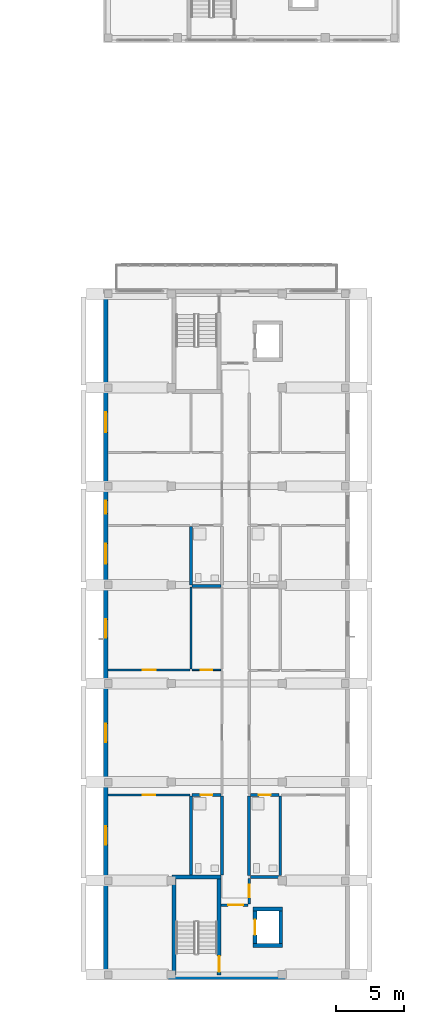
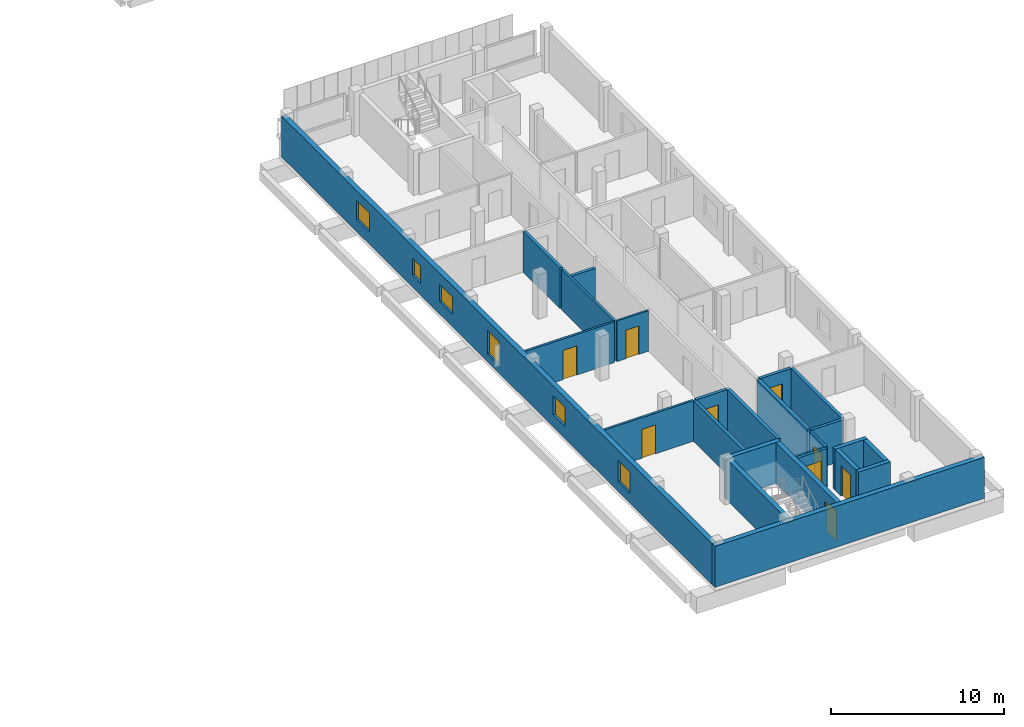
# One storey, part 20 of 41: 24 walls, 9 doors, 6 windows, 15 openings.
"""IFC4 building model written with IfcOpenShell, lengths in metres."""

from ifc_helpers import new_model, si_unit, derived_unit, direction, frame, frame_2d, origin, place, context, subcontext, project, spatial, rectangle, extrude, material, layer, layer_set, type_object, element, fill, save


model = new_model("IFC4")

# Units and contexts
model_context = context("Model", 3, precision=1e-05, world=origin(), true_north=direction((0.0, 1.0)))
body_context = subcontext(model_context, "Body", "Model", "MODEL_VIEW")
ifc_project = project(units=[si_unit("LENGTHUNIT", "METRE"), si_unit("AREAUNIT", "SQUARE_METRE"), si_unit("VOLUMEUNIT", "CUBIC_METRE"), si_unit("PLANEANGLEUNIT", "RADIAN"), si_unit("MASSUNIT", "GRAM", prefix="KILO"), derived_unit("THERMALTRANSMITTANCEUNIT", [(si_unit("MASSUNIT", "GRAM", prefix="KILO"), 1), (si_unit("TIMEUNIT", "SECOND"), -3), (si_unit("THERMODYNAMICTEMPERATUREUNIT", "KELVIN"), -1)])], contexts=[model_context])

# Site, building, storey
site_placement = place(None, origin())
site = spatial("IfcSite", under=ifc_project, at=site_placement, CompositionType="ELEMENT")
building_placement = place(site_placement, origin())
building = spatial("IfcBuilding", under=site, at=building_placement, Name="Ochrekiln Boulevard Commons", CompositionType="ELEMENT")
storey_placement = place(building_placement, frame((0.0, 0.0, 21.52490234375)))
storey = spatial("IfcBuildingStorey", under=building, at=storey_placement, Name="L06", CompositionType="ELEMENT", Elevation=21.52490234375)

# Wall
ifc_material_1 = material(Name="Desert ochre clinker brick masonry ASTM C216 Grade SW", Category="masonry")
ifc_layer_1 = layer(ifc_material_1, 0.330078125)
ifc_layer_set_1 = layer_set([ifc_layer_1], Name="Desert ochre clinker brick masonry ASTM C216 Grade SW")
wall_type_1 = type_object("IfcWallType", Name="WL-EXT-OCHRE-330", PredefinedType="SOLIDWALL", material=ifc_layer_set_1)
wall_1_placement = place(storey_placement, frame((151.199951171875, 0.1650390625, 0.0), z_axis=(0.0, 0.0, 1.0), x_axis=(1.0, 0.0, 0.0)))
element("IfcWall", 1, at=wall_1_placement, inside=storey, type_object=wall_type_1, Name="Block C L06 S Exterior Wall", PredefinedType="SOLIDWALL", context=body_context, shape_type="SweptSolid", body=[
    extrude(rectangle(XDim=18.0, YDim=0.330078125, at=frame_2d((9.0, 0.0))), origin(), (0.0, 0.0, 1.0), 2.89013671875),
])

# Wall, openings, windows
wall_2_placement = place(storey_placement, frame((151.364990234375, 0.330078125, 0.0), z_axis=(0.0, 0.0, 1.0), x_axis=(0.0, 1.0, 0.0)))
wall_2 = element("IfcWall", 2, at=wall_2_placement, inside=storey, type_object=wall_type_1, Name="Block C L06 W Exterior Wall", PredefinedType="SOLIDWALL", context=body_context, shape_type="SweptSolid", body=[
    extrude(rectangle(XDim=49.739990234375, YDim=0.330078125, at=frame_2d((24.8701171875, 0.0))), origin(), (0.0, 0.0, 1.0), 2.89013671875),
])
opening_1_placement = place(wall_2_placement, frame((16.9951171875, 0.0, 0.85498046875)))
opening_1 = element("IfcOpeningElement", 3, at=opening_1_placement, cuts=wall_2, Name="Opening W-22", PredefinedType="OPENING", context=body_context, shape_type="SweptSolid", body=[
    extrude(rectangle(XDim=1.35009765625, YDim=1.35009765625, at=frame_2d((0.675048828125, 0.675048828125))), frame((0.0, 0.175048828125, 0.0), z_axis=(0.0, -1.0, 0.0), x_axis=(1.0, 0.0, 0.0)), (0.0, 0.0, 1.0), 0.35009765625),
])
opening_2_placement = place(wall_2_placement, frame((9.47998046875, 0.0, 0.705078125)))
opening_2 = element("IfcOpeningElement", 4, at=opening_2_placement, cuts=wall_2, Name="Opening W-23", PredefinedType="OPENING", context=body_context, shape_type="SweptSolid", body=[
    extrude(rectangle(XDim=1.35009765625, YDim=1.5, at=frame_2d((0.675048828125, 0.75))), frame((0.0, 0.175048828125, 0.0), z_axis=(0.0, -1.0, 0.0), x_axis=(1.0, 0.0, 0.0)), (0.0, 0.0, 1.0), 0.35009765625),
])
opening_3_placement = place(wall_2_placement, frame((24.596923828125, 0.0, 0.554931640625)))
opening_3 = element("IfcOpeningElement", 5, at=opening_3_placement, cuts=wall_2, Name="Opening W-24", PredefinedType="OPENING", context=body_context, shape_type="SweptSolid", body=[
    extrude(rectangle(XDim=1.35009765625, YDim=1.64990234375, at=frame_2d((0.675048828125, 0.824951171875))), frame((0.0, 0.175048828125, 0.0), z_axis=(0.0, -1.0, 0.0), x_axis=(1.0, 0.0, 0.0)), (0.0, 0.0, 1.0), 0.35009765625),
])
opening_4_placement = place(wall_2_placement, frame((33.673095703125, 0.0, 0.85009765625)))
opening_4 = element("IfcOpeningElement", 6, at=opening_4_placement, cuts=wall_2, Name="Opening W-01", PredefinedType="OPENING", context=body_context, shape_type="SweptSolid", body=[
    extrude(rectangle(XDim=0.949951171875, YDim=1.199951171875, at=frame_2d((0.47509765625, 0.60009765625))), frame((0.0, 0.175048828125, 0.0), z_axis=(0.0, -1.0, 0.0), x_axis=(1.0, 0.0, 0.0)), (0.0, 0.0, 1.0), 0.35009765625),
])
opening_5_placement = place(wall_2_placement, frame((29.9990234375, 0.0, 0.89990234375)))
opening_5 = element("IfcOpeningElement", 7, at=opening_5_placement, cuts=wall_2, Name="Opening W-26", PredefinedType="OPENING", context=body_context, shape_type="SweptSolid", body=[
    extrude(rectangle(XDim=1.47998046875, YDim=1.199951171875, at=frame_2d((0.739990234375, 0.60009765625))), frame((0.0, 0.175048828125, 0.0), z_axis=(0.0, -1.0, 0.0), x_axis=(1.0, 0.0, 0.0)), (0.0, 0.0, 1.0), 0.35009765625),
])
opening_6_placement = place(wall_2_placement, frame((39.60107421875, 0.0, 0.85498046875)))
opening_6 = element("IfcOpeningElement", 8, at=opening_6_placement, cuts=wall_2, Name="Opening W-27", PredefinedType="OPENING", context=body_context, shape_type="SweptSolid", body=[
    extrude(rectangle(XDim=1.47998046875, YDim=1.35009765625, at=frame_2d((0.739990234375, 0.675048828125))), frame((0.0, 0.175048828125, 0.0), z_axis=(0.0, -1.0, 0.0), x_axis=(1.0, 0.0, 0.0)), (0.0, 0.0, 1.0), 0.35009765625),
])
ifc_material_2 = material(Name="Thermally broken aluminium-clad oak frame", Category="aluminium")
window_type_1 = type_object("IfcWindowType", Name="WIN-EXT-01", PartitioningType="SINGLE_PANEL", PredefinedType="WINDOW", material=ifc_material_2)
window_1_placement = place(opening_4_placement, origin())
window_1 = element("IfcWindow", 9, at=window_1_placement, inside=storey, type_object=window_type_1, Name="Block C L06 Punched Masonry Window W-01", OverallHeight=1.199951171875, OverallWidth=0.949951171875, PartitioningType="SINGLE_PANEL", PredefinedType="WINDOW", context=body_context, shape_type="SweptSolid", body=[
    extrude(rectangle(XDim=0.949951171875, YDim=1.199951171875, at=frame_2d((0.47509765625, 0.60009765625))), frame((0.0, 0.030029296875, 0.0), z_axis=(0.0, -1.0, 0.0), x_axis=(1.0, 0.0, 0.0)), (0.0, 0.0, 1.0), 0.06005859375),
])
fill(opening_4, window_1)
window_type_2 = type_object("IfcWindowType", Name="WIN-EXT-22", PartitioningType="SINGLE_PANEL", PredefinedType="WINDOW", material=ifc_material_2)
window_2_placement = place(opening_1_placement, origin())
window_2 = element("IfcWindow", 10, at=window_2_placement, inside=storey, type_object=window_type_2, Name="Block C L06 Punched Masonry Window W-22", OverallHeight=1.35009765625, OverallWidth=1.35009765625, PartitioningType="SINGLE_PANEL", PredefinedType="WINDOW", context=body_context, shape_type="SweptSolid", body=[
    extrude(rectangle(XDim=1.35009765625, YDim=1.35009765625, at=frame_2d((0.675048828125, 0.675048828125))), frame((0.0, 0.030029296875, 0.0), z_axis=(0.0, -1.0, 0.0), x_axis=(1.0, 0.0, 0.0)), (0.0, 0.0, 1.0), 0.06005859375),
])
fill(opening_1, window_2)
window_type_3 = type_object("IfcWindowType", Name="WIN-EXT-23", PartitioningType="SINGLE_PANEL", PredefinedType="WINDOW", material=ifc_material_2)
window_3_placement = place(opening_2_placement, origin())
window_3 = element("IfcWindow", 11, at=window_3_placement, inside=storey, type_object=window_type_3, Name="Block C L06 Punched Masonry Window W-23", OverallHeight=1.5, OverallWidth=1.35009765625, PartitioningType="SINGLE_PANEL", PredefinedType="WINDOW", context=body_context, shape_type="SweptSolid", body=[
    extrude(rectangle(XDim=1.35009765625, YDim=1.5, at=frame_2d((0.675048828125, 0.75))), frame((0.0, 0.030029296875, 0.0), z_axis=(0.0, -1.0, 0.0), x_axis=(1.0, 0.0, 0.0)), (0.0, 0.0, 1.0), 0.06005859375),
])
fill(opening_2, window_3)
window_type_4 = type_object("IfcWindowType", Name="WIN-EXT-24", PartitioningType="SINGLE_PANEL", PredefinedType="WINDOW", material=ifc_material_2)
window_4_placement = place(opening_3_placement, origin())
window_4 = element("IfcWindow", 12, at=window_4_placement, inside=storey, type_object=window_type_4, Name="Block C L06 Punched Masonry Window W-24", OverallHeight=1.64990234375, OverallWidth=1.35009765625, PartitioningType="SINGLE_PANEL", PredefinedType="WINDOW", context=body_context, shape_type="SweptSolid", body=[
    extrude(rectangle(XDim=1.35009765625, YDim=1.64990234375, at=frame_2d((0.675048828125, 0.824951171875))), frame((0.0, 0.030029296875, 0.0), z_axis=(0.0, -1.0, 0.0), x_axis=(1.0, 0.0, 0.0)), (0.0, 0.0, 1.0), 0.06005859375),
])
fill(opening_3, window_4)
window_type_5 = type_object("IfcWindowType", Name="WIN-EXT-26", PartitioningType="SINGLE_PANEL", PredefinedType="WINDOW", material=ifc_material_2)
window_5_placement = place(opening_5_placement, origin())
window_5 = element("IfcWindow", 13, at=window_5_placement, inside=storey, type_object=window_type_5, Name="Block C L06 Punched Masonry Window W-26", OverallHeight=1.199951171875, OverallWidth=1.47998046875, PartitioningType="SINGLE_PANEL", PredefinedType="WINDOW", context=body_context, shape_type="SweptSolid", body=[
    extrude(rectangle(XDim=1.47998046875, YDim=1.199951171875, at=frame_2d((0.739990234375, 0.60009765625))), frame((0.0, 0.030029296875, 0.0), z_axis=(0.0, -1.0, 0.0), x_axis=(1.0, 0.0, 0.0)), (0.0, 0.0, 1.0), 0.06005859375),
])
fill(opening_5, window_5)
window_type_6 = type_object("IfcWindowType", Name="WIN-EXT-27", PartitioningType="SINGLE_PANEL", PredefinedType="WINDOW", material=ifc_material_2)
window_6_placement = place(opening_6_placement, origin())
window_6 = element("IfcWindow", 14, at=window_6_placement, inside=storey, type_object=window_type_6, Name="Block C L06 Punched Masonry Window W-27", OverallHeight=1.35009765625, OverallWidth=1.47998046875, PartitioningType="SINGLE_PANEL", PredefinedType="WINDOW", context=body_context, shape_type="SweptSolid", body=[
    extrude(rectangle(XDim=1.47998046875, YDim=1.35009765625, at=frame_2d((0.739990234375, 0.675048828125))), frame((0.0, 0.030029296875, 0.0), z_axis=(0.0, -1.0, 0.0), x_axis=(1.0, 0.0, 0.0)), (0.0, 0.0, 1.0), 0.06005859375),
])
fill(opening_6, window_6)

# Wall
ifc_material_3 = material(Name="Moisture-resistant cementitious tile backer wall")
ifc_layer_2 = layer(ifc_material_3, 0.199951171875)
ifc_layer_set_2 = layer_set([ifc_layer_2], Name="Moisture-resistant cementitious tile backer wall")
wall_type_2 = type_object("IfcWallType", Name="WL-PLM-200", PredefinedType="PLUMBINGWALL", material=ifc_layer_set_2)
wall_3_placement = place(storey_placement, frame((161.923095703125, 7.47509765625, 0.0), z_axis=(0.0, 0.0, 1.0), x_axis=(1.0, 0.0, 0.0)))
element("IfcWall", 15, at=wall_3_placement, inside=storey, type_object=wall_type_2, Name="L06 Interior Wall W-PW200", PredefinedType="PLUMBINGWALL", context=body_context, shape_type="SweptSolid", body=[
    extrude(rectangle(XDim=2.10693359375, YDim=0.199951171875, at=frame_2d((1.053466796875, 0.0))), origin(), (0.0, 0.0, 1.0), 2.8701171875),
])

# Wall, opening, door
wall_4_placement = place(storey_placement, frame((157.669921875, 13.449951171875, 0.0), z_axis=(0.0, 0.0, 1.0), x_axis=(1.0, 0.0, 0.0)))
wall_4 = element("IfcWall", 16, at=wall_4_placement, inside=storey, type_object=wall_type_2, Name="L06 Interior Wall W-PW200", PredefinedType="PLUMBINGWALL", context=body_context, shape_type="SweptSolid", body=[
    extrude(rectangle(XDim=2.108154296875, YDim=0.199951171875, at=frame_2d((1.05419921875, 0.0))), origin(), (0.0, 0.0, 1.0), 2.8701171875),
])
opening_7_placement = place(wall_4_placement, frame((0.6201171875, 0.0, 0.0)))
opening_7 = element("IfcOpeningElement", 17, at=opening_7_placement, cuts=wall_4, Name="Opening D-L06-851", PredefinedType="OPENING", context=body_context, shape_type="SweptSolid", body=[
    extrude(rectangle(XDim=0.860107421875, YDim=2.0, at=frame_2d((0.43017578125, 1.0))), frame((0.0, 0.10986328125, 0.0), z_axis=(0.0, -1.0, 0.0), x_axis=(1.0, 0.0, 0.0)), (0.0, 0.0, 1.0), 0.219970703125),
])
ifc_material_4 = material(Name="Solid core architectural oak door leaf")
door_type_1 = type_object("IfcDoorType", Name="DR-INT-BTH-086", OperationType="NOTDEFINED", PredefinedType="DOOR", material=ifc_material_4)
door_1_placement = place(opening_7_placement, frame((0.860107421875, 0.0, 0.0), z_axis=(0.0, 0.0, 1.0), x_axis=(-1.0, 0.0, 0.0)))
door_1 = element("IfcDoor", 18, at=door_1_placement, inside=storey, type_object=door_type_1, Name="L06 Interior Door to Accessible Apartment Bathroom", OperationType="SINGLE_SWING_LEFT", OverallHeight=2.0, OverallWidth=0.860107421875, PredefinedType="DOOR", context=body_context, shape_type="SweptSolid", body=[
    extrude(rectangle(XDim=0.860107421875, YDim=2.0, at=frame_2d((0.43017578125, 1.0))), frame((0.0, 0.02490234375, 0.0), z_axis=(0.0, -1.0, 0.0), x_axis=(1.0, 0.0, 0.0)), (0.0, 0.0, 1.0), 0.050048828125),
])
fill(opening_7, door_1)

# Walls
wall_5_placement = place(storey_placement, frame((157.590087890625, 7.60009765625, 0.0), z_axis=(0.0, 0.0, 1.0), x_axis=(0.0, 1.0, 0.0)))
element("IfcWall", 19, at=wall_5_placement, inside=storey, type_object=wall_type_2, Name="L06 Interior Wall W-PW200", PredefinedType="PLUMBINGWALL", context=body_context, shape_type="SweptSolid", body=[
    extrude(rectangle(XDim=5.77490234375, YDim=0.199951171875, at=frame_2d((2.887451171875, 0.0))), origin(), (0.0, 0.0, 1.0), 2.8701171875),
])
wall_6_placement = place(storey_placement, frame((157.669921875, 28.719970703125, 0.0), z_axis=(0.0, 0.0, 1.0), x_axis=(1.0, 0.0, 0.0)))
element("IfcWall", 20, at=wall_6_placement, inside=storey, type_object=wall_type_2, Name="L06 Interior Wall W-PW200", PredefinedType="PLUMBINGWALL", context=body_context, shape_type="SweptSolid", body=[
    extrude(rectangle(XDim=2.108154296875, YDim=0.199951171875, at=frame_2d((1.05419921875, 0.0))), origin(), (0.0, 0.0, 1.0), 2.16015625),
])
wall_7_placement = place(storey_placement, frame((157.590087890625, 28.81005859375, 0.0), z_axis=(0.0, 0.0, 1.0), x_axis=(0.0, 1.0, 0.0)))
element("IfcWall", 21, at=wall_7_placement, inside=storey, type_object=wall_type_2, Name="L06 Interior Wall W-PW200", PredefinedType="PLUMBINGWALL", context=body_context, shape_type="SweptSolid", body=[
    extrude(rectangle(XDim=4.2568359375, YDim=0.199951171875, at=frame_2d((2.12841796875, 0.0))), origin(), (0.0, 0.0, 1.0), 2.8701171875),
])

# Wall, opening, door
wall_8_placement = place(storey_placement, frame((161.923095703125, 13.449951171875, 0.0), z_axis=(0.0, 0.0, 1.0), x_axis=(1.0, 0.0, 0.0)))
wall_8 = element("IfcWall", 22, at=wall_8_placement, inside=storey, type_object=wall_type_2, Name="L06 Interior Wall W-PW200", PredefinedType="PLUMBINGWALL", context=body_context, shape_type="SweptSolid", body=[
    extrude(rectangle(XDim=2.10693359375, YDim=0.199951171875, at=frame_2d((1.053466796875, 0.0))), origin(), (0.0, 0.0, 1.0), 2.8701171875),
])
opening_8_placement = place(wall_8_placement, frame((0.626953125, 0.0, 0.0)))
opening_8 = element("IfcOpeningElement", 23, at=opening_8_placement, cuts=wall_8, Name="Opening D-L06-859", PredefinedType="OPENING", context=body_context, shape_type="SweptSolid", body=[
    extrude(rectangle(XDim=0.860107421875, YDim=2.0, at=frame_2d((0.43017578125, 1.0))), frame((0.0, 0.10986328125, 0.0), z_axis=(0.0, -1.0, 0.0), x_axis=(1.0, 0.0, 0.0)), (0.0, 0.0, 1.0), 0.219970703125),
])
door_2_placement = place(opening_8_placement, frame((0.860107421875, 0.0, 0.0), z_axis=(0.0, 0.0, 1.0), x_axis=(-1.0, 0.0, 0.0)))
door_2 = element("IfcDoor", 24, at=door_2_placement, inside=storey, type_object=door_type_1, Name="L06 Interior Door to Apartment Bathroom", OperationType="SINGLE_SWING_LEFT", OverallHeight=2.0, OverallWidth=0.860107421875, PredefinedType="DOOR", context=body_context, shape_type="SweptSolid", body=[
    extrude(rectangle(XDim=0.860107421875, YDim=2.0, at=frame_2d((0.43017578125, 1.0))), frame((0.0, 0.02490234375, 0.0), z_axis=(0.0, -1.0, 0.0), x_axis=(1.0, 0.0, 0.0)), (0.0, 0.0, 1.0), 0.050048828125),
])
fill(opening_8, door_2)

# Walls
wall_9_placement = place(storey_placement, frame((164.110107421875, 7.574951171875, 0.0), z_axis=(0.0, 0.0, 1.0), x_axis=(0.0, 1.0, 0.0)))
element("IfcWall", 25, at=wall_9_placement, inside=storey, type_object=wall_type_2, Name="L06 Interior Wall W-PW200", PredefinedType="PLUMBINGWALL", context=body_context, shape_type="SweptSolid", body=[
    extrude(rectangle(XDim=5.800048828125, YDim=0.199951171875, at=frame_2d((2.89990234375, 0.0))), origin(), (0.0, 0.0, 1.0), 2.8701171875),
])
ifc_layer_3 = layer(ifc_material_3, 0.219970703125)
ifc_layer_set_3 = layer_set([ifc_layer_3], Name="Moisture-resistant cementitious tile backer wall")
wall_type_3 = type_object("IfcWallType", Name="WL-PLM-220", PredefinedType="PLUMBINGWALL", material=ifc_layer_set_3)
wall_10_placement = place(storey_placement, frame((159.860107421875, 7.60009765625, 0.0), z_axis=(0.0, 0.0, 1.0), x_axis=(0.0, 1.0, 0.0)))
element("IfcWall", 26, at=wall_10_placement, inside=storey, type_object=wall_type_3, Name="L06 Interior Wall W-PW220", PredefinedType="PLUMBINGWALL", context=body_context, shape_type="SweptSolid", body=[
    extrude(rectangle(XDim=5.77001953125, YDim=0.219970703125, at=frame_2d((2.885009765625, 0.0))), origin(), (0.0, 0.0, 1.0), 2.8701171875),
])
wall_11_placement = place(storey_placement, frame((161.840087890625, 7.574951171875, 0.0), z_axis=(0.0, 0.0, 1.0), x_axis=(0.0, 1.0, 0.0)))
element("IfcWall", 27, at=wall_11_placement, inside=storey, type_object=wall_type_3, Name="L06 Interior Wall W-PW220", PredefinedType="PLUMBINGWALL", context=body_context, shape_type="SweptSolid", body=[
    extrude(rectangle(XDim=5.795166015625, YDim=0.219970703125, at=frame_2d((2.8974609375, 0.0))), origin(), (0.0, 0.0, 1.0), 2.8701171875),
])

# Wall, opening, door
ifc_material_5 = material(Name="Fire-rated Type X gypsum board on steel studs", Category="steel")
ifc_layer_4 = layer(ifc_material_5, 0.1650390625)
ifc_layer_set_4 = layer_set([ifc_layer_4], Name="Fire-rated Type X gypsum board on steel studs")
wall_type_4 = type_object("IfcWallType", Name="WL-PT-CORR-165", PredefinedType="PARTITIONING", material=ifc_layer_set_4)
wall_12_placement = place(storey_placement, frame((161.840087890625, 5.514892578125, 0.0), z_axis=(0.0, 0.0, 1.0), x_axis=(0.0, 1.0, 0.0)))
wall_12 = element("IfcWall", 28, at=wall_12_placement, inside=storey, type_object=wall_type_4, Name="L06 Interior Wall W-PC165", PredefinedType="PARTITIONING", context=body_context, shape_type="SweptSolid", body=[
    extrude(rectangle(XDim=1.835205078125, YDim=0.1650390625, at=frame_2d((0.91748046875, 0.0))), origin(), (0.0, 0.0, 1.0), 2.8701171875),
])
opening_9_placement = place(wall_12_placement, frame((0.47509765625, 0.0, 0.0)))
opening_9 = element("IfcOpeningElement", 29, at=opening_9_placement, cuts=wall_12, Name="Opening D-L06-846", PredefinedType="OPENING", context=body_context, shape_type="SweptSolid", body=[
    extrude(rectangle(XDim=0.919921875, YDim=2.0400390625, at=frame_2d((0.4599609375, 1.02001953125))), frame((0.0, 0.092529296875, 0.0), z_axis=(0.0, -1.0, 0.0), x_axis=(1.0, 0.0, 0.0)), (0.0, 0.0, 1.0), 0.18505859375),
])
ifc_material_6 = material(Name="Hollow metal fire-rated steel door assembly", Category="steel")
door_type_2 = type_object("IfcDoorType", Name="DR-SRV-90", OperationType="NOTDEFINED", PredefinedType="DOOR", material=ifc_material_6)
door_3_placement = place(opening_9_placement, frame((0.919921875, 0.0, 0.0), z_axis=(0.0, 0.0, 1.0), x_axis=(-1.0, 0.0, 0.0)))
door_3 = element("IfcDoor", 30, at=door_3_placement, inside=storey, type_object=door_type_2, Name="L06 Interior Door to Hydronic and Electrical Riser Room", OperationType="SINGLE_SWING_RIGHT", OverallHeight=2.0400390625, OverallWidth=0.919921875, PredefinedType="DOOR", context=body_context, shape_type="SweptSolid", body=[
    extrude(rectangle(XDim=0.919921875, YDim=2.0400390625, at=frame_2d((0.4599609375, 1.02001953125))), frame((0.0, 0.02490234375, 0.0), z_axis=(0.0, -1.0, 0.0), x_axis=(1.0, 0.0, 0.0)), (0.0, 0.0, 1.0), 0.050048828125),
])
fill(opening_9, door_3)

ifc_layer_5 = layer(ifc_material_5, 0.18994140625)
ifc_layer_set_5 = layer_set([ifc_layer_5], Name="Fire-rated Type X gypsum board on steel studs")
wall_type_5 = type_object("IfcWallType", Name="WL-PT-LBY-190", PredefinedType="PARTITIONING", material=ifc_layer_set_5)
wall_13_placement = place(storey_placement, frame((159.800048828125, 5.419921875, 0.0), z_axis=(0.0, 0.0, 1.0), x_axis=(1.0, 0.0, 0.0)))
wall_13 = element("IfcWall", 31, at=wall_13_placement, inside=storey, type_object=wall_type_5, Name="L06 Interior Wall W-PL190", PredefinedType="PARTITIONING", context=body_context, shape_type="SweptSolid", body=[
    extrude(rectangle(XDim=1.949951171875, YDim=0.18994140625, at=frame_2d((0.97509765625, 0.0))), origin(), (0.0, 0.0, 1.0), 2.8701171875),
])
opening_10_placement = place(wall_13_placement, frame((0.5, 0.0, 0.0)))
opening_10 = element("IfcOpeningElement", 32, at=opening_10_placement, cuts=wall_13, Name="Opening D-L06-844", PredefinedType="OPENING", context=body_context, shape_type="SweptSolid", body=[
    extrude(rectangle(XDim=1.10009765625, YDim=2.1201171875, at=frame_2d((0.550048828125, 1.06005859375))), frame((0.0, 0.10498046875, 0.0), z_axis=(0.0, -1.0, 0.0), x_axis=(1.0, 0.0, 0.0)), (0.0, 0.0, 1.0), 0.2099609375),
])
door_type_3 = type_object("IfcDoorType", Name="DR-LOBBY-60", OperationType="NOTDEFINED", PredefinedType="DOOR", material=ifc_material_6)
door_4_placement = place(opening_10_placement, frame((1.10009765625, 0.0, 0.0), z_axis=(0.0, 0.0, 1.0), x_axis=(-1.0, 0.0, 0.0)))
door_4 = element("IfcDoor", 33, at=door_4_placement, inside=storey, type_object=door_type_3, Name="L06 Interior Door to Passenger Elevator Lobby", OperationType="SINGLE_SWING_RIGHT", OverallHeight=2.1201171875, OverallWidth=1.10009765625, PredefinedType="DOOR", context=body_context, shape_type="SweptSolid", body=[
    extrude(rectangle(XDim=1.10009765625, YDim=2.1201171875, at=frame_2d((0.550048828125, 1.06005859375))), frame((0.0, 0.02490234375, 0.0), z_axis=(0.0, -1.0, 0.0), x_axis=(1.0, 0.0, 0.0)), (0.0, 0.0, 1.0), 0.050048828125),
])
fill(opening_10, door_4)

ifc_layer_6 = layer(ifc_material_5, 0.1201171875)
ifc_layer_set_6 = layer_set([ifc_layer_6], Name="Fire-rated Type X gypsum board on steel studs")
wall_type_6 = type_object("IfcWallType", Name="WL-PT-LGT-120", PredefinedType="PARTITIONING", material=ifc_layer_set_6)
wall_14_placement = place(storey_placement, frame((157.669921875, 22.593994140625, 0.0), z_axis=(0.0, 0.0, 1.0), x_axis=(1.0, 0.0, 0.0)))
wall_14 = element("IfcWall", 34, at=wall_14_placement, inside=storey, type_object=wall_type_6, Name="L06 Interior Wall W-PL120", PredefinedType="PARTITIONING", context=body_context, shape_type="SweptSolid", body=[
    extrude(rectangle(XDim=2.108154296875, YDim=0.1201171875, at=frame_2d((1.05419921875, 0.0))), origin(), (0.0, 0.0, 1.0), 2.8701171875),
])
opening_11_placement = place(wall_14_placement, frame((0.625, 0.0, 0.0)))
opening_11 = element("IfcOpeningElement", 35, at=opening_11_placement, cuts=wall_14, Name="Opening D-L06-852", PredefinedType="OPENING", context=body_context, shape_type="SweptSolid", body=[
    extrude(rectangle(XDim=0.85009765625, YDim=2.010009765625, at=frame_2d((0.425048828125, 1.0048828125))), frame((0.0, 0.070068359375, 0.0), z_axis=(0.0, -1.0, 0.0), x_axis=(1.0, 0.0, 0.0)), (0.0, 0.0, 1.0), 0.14013671875),
])
door_type_4 = type_object("IfcDoorType", Name="DR-INT-KIT-085", OperationType="NOTDEFINED", PredefinedType="DOOR", material=ifc_material_4)
door_5_placement = place(opening_11_placement, origin())
door_5 = element("IfcDoor", 36, at=door_5_placement, inside=storey, type_object=door_type_4, Name="L06 Interior Door to Apartment Kitchen", OperationType="SINGLE_SWING_RIGHT", OverallHeight=2.010009765625, OverallWidth=0.85009765625, PredefinedType="DOOR", context=body_context, shape_type="SweptSolid", body=[
    extrude(rectangle(XDim=0.85009765625, YDim=2.010009765625, at=frame_2d((0.425048828125, 1.0048828125))), frame((0.0, 0.02490234375, 0.0), z_axis=(0.0, -1.0, 0.0), x_axis=(1.0, 0.0, 0.0)), (0.0, 0.0, 1.0), 0.050048828125),
])
fill(opening_11, door_5)

ifc_layer_7 = layer(ifc_material_5, 0.14990234375)
ifc_layer_set_7 = layer_set([ifc_layer_7], Name="Fire-rated Type X gypsum board on steel studs")
wall_type_7 = type_object("IfcWallType", Name="WL-PT-STD-150", PredefinedType="PARTITIONING", material=ifc_layer_set_7)
wall_15_placement = place(storey_placement, frame((151.530029296875, 13.449951171875, 0.0), z_axis=(0.0, 0.0, 1.0), x_axis=(1.0, 0.0, 0.0)))
wall_15 = element("IfcWall", 37, at=wall_15_placement, inside=storey, type_object=wall_type_7, Name="L06 Interior Wall W-PS150", PredefinedType="PARTITIONING", context=body_context, shape_type="SweptSolid", body=[
    extrude(rectangle(XDim=5.97998046875, YDim=0.14990234375, at=frame_2d((2.989990234375, 0.0))), origin(), (0.0, 0.0, 1.0), 2.8701171875),
])
opening_12_placement = place(wall_15_placement, frame((2.550048828125, 0.0, 0.0)))
opening_12 = element("IfcOpeningElement", 38, at=opening_12_placement, cuts=wall_15, Name="Opening D-L06-853", PredefinedType="OPENING", context=body_context, shape_type="SweptSolid", body=[
    extrude(rectangle(XDim=0.89990234375, YDim=2.0400390625, at=frame_2d((0.449951171875, 1.02001953125))), frame((0.0, 0.0849609375, 0.0), z_axis=(0.0, -1.0, 0.0), x_axis=(1.0, 0.0, 0.0)), (0.0, 0.0, 1.0), 0.169921875),
])
door_type_5 = type_object("IfcDoorType", Name="DR-INT-BED-090", OperationType="NOTDEFINED", PredefinedType="DOOR", material=ifc_material_4)
door_6_placement = place(opening_12_placement, frame((0.89990234375, 0.0, 0.0), z_axis=(0.0, 0.0, 1.0), x_axis=(-1.0, 0.0, 0.0)))
door_6 = element("IfcDoor", 39, at=door_6_placement, inside=storey, type_object=door_type_5, Name="L06 Interior Door to Primary Apartment Bedroom", OperationType="SINGLE_SWING_LEFT", OverallHeight=2.0400390625, OverallWidth=0.89990234375, PredefinedType="DOOR", context=body_context, shape_type="SweptSolid", body=[
    extrude(rectangle(XDim=0.89990234375, YDim=2.0400390625, at=frame_2d((0.449951171875, 1.02001953125))), frame((0.0, 0.02490234375, 0.0), z_axis=(0.0, -1.0, 0.0), x_axis=(1.0, 0.0, 0.0)), (0.0, 0.0, 1.0), 0.050048828125),
])
fill(opening_12, door_6)

wall_16_placement = place(storey_placement, frame((151.530029296875, 22.593994140625, 0.0), z_axis=(0.0, 0.0, 1.0), x_axis=(1.0, 0.0, 0.0)))
wall_16 = element("IfcWall", 40, at=wall_16_placement, inside=storey, type_object=wall_type_7, Name="L06 Interior Wall W-PS150", PredefinedType="PARTITIONING", context=body_context, shape_type="SweptSolid", body=[
    extrude(rectangle(XDim=5.97998046875, YDim=0.14990234375, at=frame_2d((2.989990234375, 0.0))), origin(), (0.0, 0.0, 1.0), 2.8701171875),
])
opening_13_placement = place(wall_16_placement, frame((2.530029296875, 0.0, 0.0)))
opening_13 = element("IfcOpeningElement", 41, at=opening_13_placement, cuts=wall_16, Name="Opening D-L06-854", PredefinedType="OPENING", context=body_context, shape_type="SweptSolid", body=[
    extrude(rectangle(XDim=0.93994140625, YDim=2.06005859375, at=frame_2d((0.469970703125, 1.030029296875))), frame((0.0, 0.0849609375, 0.0), z_axis=(0.0, -1.0, 0.0), x_axis=(1.0, 0.0, 0.0)), (0.0, 0.0, 1.0), 0.169921875),
])
door_type_6 = type_object("IfcDoorType", Name="DR-INT-BED-094", OperationType="NOTDEFINED", PredefinedType="DOOR", material=ifc_material_4)
door_7_placement = place(opening_13_placement, origin())
door_7 = element("IfcDoor", 42, at=door_7_placement, inside=storey, type_object=door_type_6, Name="L06 Interior Door to Secondary Apartment Bedroom", OperationType="SINGLE_SWING_RIGHT", OverallHeight=2.06005859375, OverallWidth=0.93994140625, PredefinedType="DOOR", context=body_context, shape_type="SweptSolid", body=[
    extrude(rectangle(XDim=0.93994140625, YDim=2.06005859375, at=frame_2d((0.469970703125, 1.030029296875))), frame((0.0, 0.02490234375, 0.0), z_axis=(0.0, -1.0, 0.0), x_axis=(1.0, 0.0, 0.0)), (0.0, 0.0, 1.0), 0.050048828125),
])
fill(opening_13, door_7)

# Walls
wall_17_placement = place(storey_placement, frame((157.590087890625, 22.654052734375, 0.0), z_axis=(0.0, 0.0, 1.0), x_axis=(0.0, 1.0, 0.0)))
element("IfcWall", 43, at=wall_17_placement, inside=storey, type_object=wall_type_7, Name="L06 Interior Wall W-PS150", PredefinedType="PARTITIONING", context=body_context, shape_type="SweptSolid", body=[
    extrude(rectangle(XDim=5.975830078125, YDim=0.14990234375, at=frame_2d((2.98779296875, 0.0))), origin(), (0.0, 0.0, 1.0), 2.8701171875),
])
ifc_material_7 = material(Name="Concrete C40/50", Category="concrete")
ifc_layer_8 = layer(ifc_material_7, 0.27490234375)
ifc_layer_set_8 = layer_set([ifc_layer_8], Name="Concrete C40/50")
wall_type_8 = type_object("IfcWallType", Name="WL-SH-275", PredefinedType="SHEAR", material=ifc_layer_set_8)
for number, where, z_axis, x_axis, name in (
    (44, (162.125, 2.46240234375, 0.0), (0.0, 0.0, 1.0), (1.0, 0.0, 0.0), "Elevator LP-C1 L06 Hoistway Shear Wall"),
    (45, (162.125, 5.137451171875, 0.0), (0.0, 0.0, 1.0), (1.0, 0.0, 0.0), "Elevator LP-C1 L06 Hoistway Shear Wall"),
):
    element("IfcWall", number, at=place(storey_placement, frame(where, z_axis=z_axis, x_axis=x_axis)), inside=storey, type_object=wall_type_8, Name=name, PredefinedType="SHEAR", context=body_context, shape_type="SweptSolid", body=[
        extrude(rectangle(XDim=2.14990234375, YDim=0.27490234375, at=frame_2d((1.074951171875, 0.0))), origin(), (0.0, 0.0, 1.0), 2.89013671875),
    ])

# Wall, opening, door
wall_18_placement = place(storey_placement, frame((162.262451171875, 2.60009765625, 0.0), z_axis=(0.0, 0.0, 1.0), x_axis=(0.0, 1.0, 0.0)))
wall_18 = element("IfcWall", 46, at=wall_18_placement, inside=storey, type_object=wall_type_8, Name="Elevator LP-C1 L06 Hoistway Shear Wall", PredefinedType="SHEAR", context=body_context, shape_type="SweptSolid", body=[
    extrude(rectangle(XDim=2.39990234375, YDim=0.27490234375, at=frame_2d((1.199951171875, 0.0))), origin(), (0.0, 0.0, 1.0), 2.89013671875),
])
opening_14_placement = place(wall_18_placement, frame((0.64990234375, 0.0, 0.0)))
opening_14 = element("IfcOpeningElement", 47, at=opening_14_placement, cuts=wall_18, Name="Opening LD-LP-C1-L06", PredefinedType="OPENING", context=body_context, shape_type="SweptSolid", body=[
    extrude(rectangle(XDim=1.10009765625, YDim=2.14990234375, at=frame_2d((0.550048828125, 1.074951171875))), frame((0.0, 0.1474609375, 0.0), z_axis=(0.0, -1.0, 0.0), x_axis=(1.0, 0.0, 0.0)), (0.0, 0.0, 1.0), 0.294921875),
])
ifc_material_8 = material(Name="Brushed stainless steel 316 elevator cab and doors", Category="steel")
door_type_7 = type_object("IfcDoorType", Name="DR-LIFT-LD90", OperationType="SLIDING_TO_LEFT", PredefinedType="DOOR", material=ifc_material_8)
door_8_placement = place(opening_14_placement, origin())
door_8 = element("IfcDoor", 48, at=door_8_placement, inside=storey, type_object=door_type_7, Name="Elevator LP-C1 L06 Sliding Landing Door LD-LP-C1-L06", OperationType="SLIDING_TO_LEFT", OverallHeight=2.14990234375, OverallWidth=1.10009765625, PredefinedType="DOOR", context=body_context, shape_type="SweptSolid", body=[
    extrude(rectangle(XDim=1.10009765625, YDim=2.14990234375, at=frame_2d((0.550048828125, 1.074951171875))), frame((0.0, 0.02490234375, 0.0), z_axis=(0.0, -1.0, 0.0), x_axis=(1.0, 0.0, 0.0)), (0.0, 0.0, 1.0), 0.050048828125),
])
fill(opening_14, door_8)

# Walls
wall_19_placement = place(storey_placement, frame((164.137451171875, 2.60009765625, 0.0), z_axis=(0.0, 0.0, 1.0), x_axis=(0.0, 1.0, 0.0)))
element("IfcWall", 49, at=wall_19_placement, inside=storey, type_object=wall_type_8, Name="Elevator LP-C1 L06 Hoistway Shear Wall", PredefinedType="SHEAR", context=body_context, shape_type="SweptSolid", body=[
    extrude(rectangle(XDim=2.39990234375, YDim=0.27490234375, at=frame_2d((1.199951171875, 0.0))), origin(), (0.0, 0.0, 1.0), 2.89013671875),
])
ifc_layer_9 = layer(ifc_material_7, 0.300048828125)
ifc_layer_set_9 = layer_set([ifc_layer_9], Name="Concrete C40/50")
wall_type_9 = type_object("IfcWallType", Name="WL-SH-300", PredefinedType="SHEAR", material=ifc_layer_set_9)
wall_20_placement = place(storey_placement, frame((156.199951171875, 7.469970703125, 0.0), z_axis=(0.0, 0.0, 1.0), x_axis=(1.0, 0.0, 0.0)))
element("IfcWall", 50, at=wall_20_placement, inside=storey, type_object=wall_type_9, Name="Stair ST-C1 L06 Core Shear Wall N", PredefinedType="SHEAR", context=body_context, shape_type="SweptSolid", body=[
    extrude(rectangle(XDim=3.60009765625, YDim=0.300048828125, at=frame_2d((1.800048828125, 0.0))), origin(), (0.0, 0.0, 1.0), 2.89013671875),
])
wall_21_placement = place(storey_placement, frame((156.35009765625, 0.320068359375, 0.0), z_axis=(0.0, 0.0, 1.0), x_axis=(0.0, 1.0, 0.0)))
element("IfcWall", 51, at=wall_21_placement, inside=storey, type_object=wall_type_9, Name="Stair ST-C1 L06 Core Shear Wall W", PredefinedType="SHEAR", context=body_context, shape_type="SweptSolid", body=[
    extrude(rectangle(XDim=7.0, YDim=0.300048828125, at=frame_2d((3.5, 0.0))), origin(), (0.0, 0.0, 1.0), 2.89013671875),
])

# Wall, opening, door
wall_22_placement = place(storey_placement, frame((159.64990234375, 0.320068359375, 0.0), z_axis=(0.0, 0.0, 1.0), x_axis=(0.0, 1.0, 0.0)))
wall_22 = element("IfcWall", 52, at=wall_22_placement, inside=storey, type_object=wall_type_9, Name="Stair ST-C1 L06 Core Shear Wall E", PredefinedType="SHEAR", context=body_context, shape_type="SweptSolid", body=[
    extrude(rectangle(XDim=7.0, YDim=0.300048828125, at=frame_2d((3.5, 0.0))), origin(), (0.0, 0.0, 1.0), 2.89013671875),
])
opening_15_placement = place(wall_22_placement, frame((0.22509765625, 0.0, 0.0)))
opening_15 = element("IfcOpeningElement", 53, at=opening_15_placement, cuts=wall_22, Name="Opening D-L06-ST-C1", PredefinedType="OPENING", context=body_context, shape_type="SweptSolid", body=[
    extrude(rectangle(XDim=1.14990234375, YDim=2.1201171875, at=frame_2d((0.574951171875, 1.06005859375))), frame((0.0, 0.159912109375, 0.0), z_axis=(0.0, -1.0, 0.0), x_axis=(1.0, 0.0, 0.0)), (0.0, 0.0, 1.0), 0.320068359375),
])
door_type_8 = type_object("IfcDoorType", Name="DR-STAIR-90", OperationType="NOTDEFINED", PredefinedType="DOOR", material=ifc_material_6)
door_9_placement = place(opening_15_placement, origin())
door_9 = element("IfcDoor", 54, at=door_9_placement, inside=storey, type_object=door_type_8, Name="Enclosed Exit Stair ST-C1 L06 Rated Door", OperationType="SINGLE_SWING_RIGHT", OverallHeight=2.1201171875, OverallWidth=1.14990234375, PredefinedType="DOOR", context=body_context, shape_type="SweptSolid", body=[
    extrude(rectangle(XDim=1.14990234375, YDim=2.1201171875, at=frame_2d((0.574951171875, 1.06005859375))), frame((0.0, 0.02490234375, 0.0), z_axis=(0.0, -1.0, 0.0), x_axis=(1.0, 0.0, 0.0)), (0.0, 0.0, 1.0), 0.050048828125),
])
fill(opening_15, door_9)

save(model, "model.ifc")
